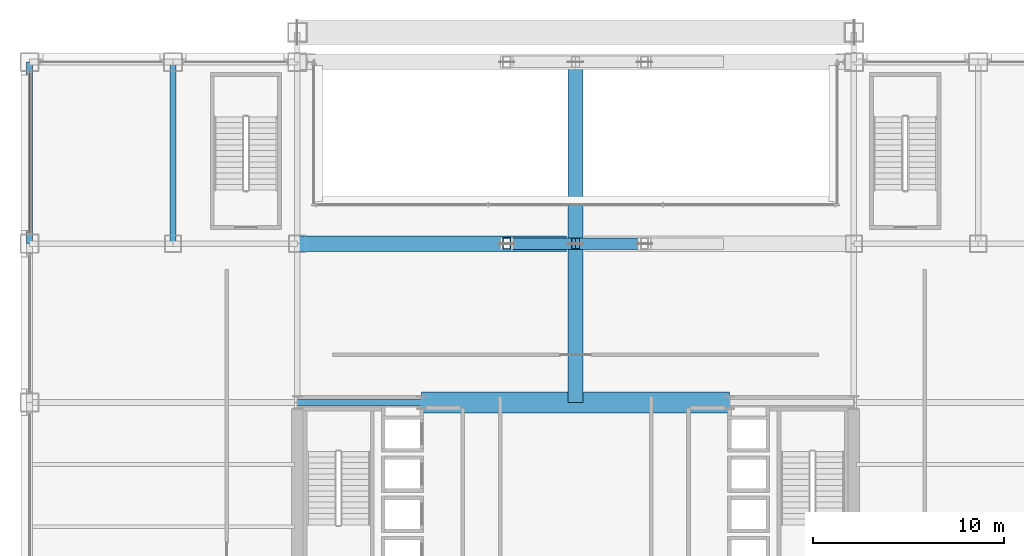
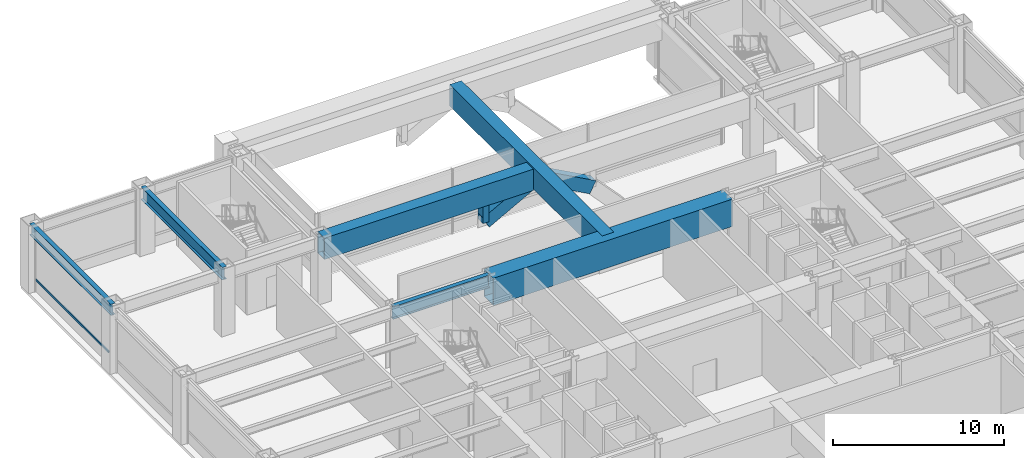
# One storey, part 16 of 37: 6 beams, 4 members, 1 element without a shape of its own.
"""IFC4 building model written with IfcOpenShell, lengths in metres."""

from ifc_helpers import new_model, si_unit, direction, frame, origin, origin_2d, place, context, subcontext, project, spatial, hollow_rectangle, i_section, extrude, material, layer, layer_set, material_profile, profile_set, type_object, element, aggregate, save


model = new_model("IFC4")

# Units and contexts
model_context = context("Model", 3, precision=1e-05, world=origin(), true_north=direction((0.0, 1.0)))
body_context = subcontext(model_context, "Body", "Model", "MODEL_VIEW")
ifc_project = project(units=[si_unit("LENGTHUNIT", "METRE"), si_unit("AREAUNIT", "SQUARE_METRE"), si_unit("VOLUMEUNIT", "CUBIC_METRE"), si_unit("PLANEANGLEUNIT", "RADIAN"), si_unit("MASSUNIT", "GRAM", prefix="KILO")], contexts=[model_context])

# Site, building, storey
site_placement = place(None, origin())
site = spatial("IfcSite", under=ifc_project, at=site_placement, CompositionType="ELEMENT")
building_placement = place(site_placement, origin())
building = spatial("IfcBuilding", under=site, at=building_placement, Name="Brelmoor Portico Tower", CompositionType="ELEMENT")
storey_placement = place(building_placement, frame((0.0, 0.0, 14.39990234375)))
storey = spatial("IfcBuildingStorey", under=building, at=storey_placement, Name="L03", CompositionType="ELEMENT", Elevation=14.39990234375)

# Beams
ifc_material_1 = material(Name="Steel Q355B", Category="steel")
ifc_material_profile_1 = material_profile(ifc_material_1, i_section(OverallWidth=0.300048828125, OverallDepth=0.89990234375, WebThickness=0.01611328125, FlangeThickness=0.028076171875, at=origin_2d()), Name="HN 900x300x16x28")
ifc_profile_set_1 = profile_set([ifc_material_profile_1], Name="Steel Q355B")
beam_type_1 = type_object("IfcBeamType", Name="BM-PG-900", PredefinedType="BEAM", material=ifc_profile_set_1)
beam_1_placement = place(storey_placement, frame((-21.050048828125, 18.050048828125, 4.130126953125), z_axis=(0.0, 1.0, 0.0), x_axis=(-1.0, 0.0, 0.0)))
element("IfcBeam", 1, at=beam_1_placement, inside=storey, type_object=beam_type_1, Name="L03 Primary Floor Girder PG-02", PredefinedType="BEAM", context=body_context, shape_type="SweptSolid", body=[
    extrude(i_section(OverallWidth=0.300048828125, OverallDepth=0.89990234375, WebThickness=0.01611328125, FlangeThickness=0.028076171875, at=origin_2d()), origin(), (0.0, 0.0, 1.0), 9.5),
])
beam_2_placement = place(storey_placement, frame((-14.550048828125, 9.75, 4.130126953125), z_axis=(1.0, 0.0, 0.0), x_axis=(0.0, 1.0, 0.0)))
element("IfcBeam", 2, at=beam_2_placement, inside=storey, type_object=beam_type_1, Name="L03 Primary Floor Girder PG-36", PredefinedType="BEAM", context=body_context, shape_type="SweptSolid", body=[
    extrude(i_section(OverallWidth=0.300048828125, OverallDepth=0.89990234375, WebThickness=0.01611328125, FlangeThickness=0.028076171875, at=origin_2d()), origin(), (0.0, 0.0, 1.0), 6.5),
])
ifc_material_profile_2 = material_profile(ifc_material_1, i_section(OverallWidth=0.300048828125, OverallDepth=0.800048828125, WebThickness=0.013916015625, FlangeThickness=0.02587890625, at=origin_2d()), Name="HN 800x300x14x26")
ifc_profile_set_2 = profile_set([ifc_material_profile_2], Name="Steel Q355B")
beam_type_2 = type_object("IfcBeamType", Name="BM-SP-800", PredefinedType="SPANDREL", material=ifc_profile_set_2)
beam_3_placement = place(storey_placement, frame((-28.550048828125, 18.050048828125, 4.18017578125), z_axis=(0.0, 1.0, 0.0), x_axis=(-1.0, 0.0, 0.0)))
element("IfcBeam", 3, at=beam_3_placement, inside=storey, type_object=beam_type_2, Name="L03 Perimeter Spandrel Beam SP-16", PredefinedType="SPANDREL", context=body_context, shape_type="SweptSolid", body=[
    extrude(i_section(OverallWidth=0.300048828125, OverallDepth=0.800048828125, WebThickness=0.013916015625, FlangeThickness=0.02587890625, at=origin_2d()), origin(), (0.0, 0.0, 1.0), 9.5),
])
ifc_material_2 = material(Name="Steel Q420B", Category="steel")
ifc_material_profile_3 = material_profile(ifc_material_2, hollow_rectangle(XDim=1.10009765625, YDim=1.949951171875, WallThickness=0.054931640625, at=origin_2d()), Name="BOX 1100x1950x55")
ifc_profile_set_3 = profile_set([ifc_material_profile_3], Name="Steel Q420B")
beam_type_3 = type_object("IfcBeamType", Name="BM-TG-ARCH", PredefinedType="BEAM", material=ifc_profile_set_3)
beam_4_placement = place(storey_placement, frame((-8.050048828125, 9.75, 3.60498046875), z_axis=(1.0, 0.0, 0.0), x_axis=(0.0, 1.0, 0.0)))
element("IfcBeam", 4, at=beam_4_placement, inside=storey, type_object=beam_type_3, Name="L03 Portico Arch Core Transfer Box Girder TG-ARCH-C03", PredefinedType="BEAM", context=body_context, shape_type="SweptSolid", body=[
    extrude(hollow_rectangle(XDim=1.10009765625, YDim=1.949951171875, WallThickness=0.054931640625, at=origin_2d()), origin(), (0.0, 0.0, 1.0), 16.10009765625),
])
ifc_material_profile_4 = material_profile(ifc_material_2, hollow_rectangle(XDim=0.800048828125, YDim=1.52001953125, WallThickness=0.044921875, at=origin_2d()), Name="BOX 800x1520x45")
ifc_profile_set_4 = profile_set([ifc_material_profile_4], Name="Steel Q420B")
beam_type_4 = type_object("IfcBeamType", Name="BM-TG-TIE", PredefinedType="BEAM", material=ifc_profile_set_4)
beam_5_placement = place(storey_placement, frame((-14.550048828125, 18.050048828125, 3.820068359375), z_axis=(1.0, 0.0, 0.0), x_axis=(0.0, 1.0, 0.0)))
element("IfcBeam", 5, at=beam_5_placement, inside=storey, type_object=beam_type_4, Name="L03 Giant Arch Bridge Transfer Box Girder N2W", PredefinedType="BEAM", context=body_context, shape_type="SweptSolid", body=[
    extrude(hollow_rectangle(XDim=0.800048828125, YDim=1.52001953125, WallThickness=0.044921875, at=origin_2d()), origin(), (0.0, 0.0, 1.0), 14.070068359375),
])
beam_6_placement = place(storey_placement, frame((0.0, 9.75, 3.820068359375), z_axis=(0.0, 1.0, 0.0), x_axis=(-1.0, 0.0, 0.0)))
element("IfcBeam", 6, at=beam_6_placement, inside=storey, type_object=beam_type_4, Name="L03 North Giant Arch Crown Tie Girder", PredefinedType="BEAM", context=body_context, shape_type="SweptSolid", body=[
    extrude(hollow_rectangle(XDim=0.800048828125, YDim=1.52001953125, WallThickness=0.044921875, at=origin_2d()), origin(), (0.0, 0.0, 1.0), 17.800048828125),
])

# Members
ifc_material_profile_5 = material_profile(ifc_material_2, hollow_rectangle(XDim=0.60009765625, YDim=0.89990234375, WallThickness=0.035888671875, at=origin_2d()), Name="RHS 600x900x36")
ifc_profile_set_5 = profile_set([ifc_material_profile_5], Name="Steel Q420B")
member_type_1 = type_object("IfcMemberType", Name="MB-ARCH-RIB", PredefinedType="CHORD", material=ifc_profile_set_5)
for number, where, z_axis, x_axis, name in (
    (7, (-3.60009765625, 18.050048828125, 1.800048828125), (0.878777744098, 0.0, 0.477231261002), (0.0, 1.0, 0.0), "Giant Portico Arch Rib N2-4"),
    (8, (0.0, 18.050048828125, 3.755126953125), (0.878777744098, 0.0, -0.477231261002), (0.0, 1.0, 0.0), "Giant Portico Arch Rib N2-5"),
):
    element("IfcMember", number, at=place(storey_placement, frame(where, z_axis=z_axis, x_axis=x_axis)), inside=storey, type_object=member_type_1, Name=name, PredefinedType="CHORD", context=body_context, shape_type="SweptSolid", body=[
        extrude(hollow_rectangle(XDim=0.60009765625, YDim=0.89990234375, WallThickness=0.035888671875, at=origin_2d()), origin(), (0.0, 0.0, 1.0), 4.0966796875),
    ])
ifc_material_profile_6 = material_profile(ifc_material_1, hollow_rectangle(XDim=0.39990234375, YDim=0.60009765625, WallThickness=0.02392578125, at=origin_2d()), Name="RHS 400x600x24")
ifc_profile_set_6 = profile_set([ifc_material_profile_6], Name="Steel Q355B")
member_type_2 = type_object("IfcMemberType", Name="MB-ARCH-STRUT", PredefinedType="BRACE", material=ifc_profile_set_6)
member_1_placement = place(storey_placement, frame((-3.60009765625, 18.050048828125, 1.800048828125), z_axis=(0.0, 0.0, 1.0), x_axis=(1.0, 0.0, 0.0)))
element("IfcMember", 9, at=member_1_placement, inside=storey, type_object=member_type_2, Name="Portico Arch Spandrel Strut N2-3", PredefinedType="BRACE", context=body_context, shape_type="SweptSolid", body=[
    extrude(hollow_rectangle(XDim=0.39990234375, YDim=0.60009765625, WallThickness=0.02392578125, at=origin_2d()), origin(), (0.0, 0.0, 1.0), 1.955078125),
])

# Curtain wall, member
ifc_material_3 = material(Name="Anodised Aluminium Alloy 6063-T6", Category="aluminium")
ifc_layer = layer(ifc_material_3, 0.179931640625)
ifc_layer_set = layer_set([ifc_layer], Name="Anodised Aluminium Alloy 6063-T6")
curtain_wall_type = type_object("IfcCurtainWallType", Name="CW-PODIUM-ARCH", PredefinedType="NOTDEFINED", material=ifc_layer_set)
curtain_wall_placement = place(storey_placement, origin())
curtain_wall = element("IfcCurtainWall", 10, at=curtain_wall_placement, inside=storey, type_object=curtain_wall_type, Name="L03 Curtain Wall CW-L03-11-6", PredefinedType="NOTDEFINED")
ifc_material_profile_7 = material_profile(ifc_material_3, hollow_rectangle(XDim=0.070068359375, YDim=0.159912109375, WallThickness=0.00390625, at=origin_2d()), Name="ALU TRANSOM 70x160")
ifc_profile_set_7 = profile_set([ifc_material_profile_7], Name="Anodised Aluminium Alloy 6063-T6")
member_type_3 = type_object("IfcMemberType", Name="MB-CW-TRAN-160", PredefinedType="USERDEFINED", material=ifc_profile_set_7)
member_2_placement = place(storey_placement, frame((-28.550048828125, 18.56005859375, 0.85009765625), z_axis=(0.0, 1.0, 0.0), x_axis=(-1.0, 0.0, 0.0)))
member_2 = element("IfcMember", 11, at=member_2_placement, type_object=member_type_3, Name="CW-L03-11-6 Transom 1-00", ObjectType="TRANSOM", PredefinedType="USERDEFINED", context=body_context, shape_type="SweptSolid", body=[
    extrude(hollow_rectangle(XDim=0.070068359375, YDim=0.159912109375, WallThickness=0.00390625, at=origin_2d()), origin(), (0.0, 0.0, 1.0), 8.47998046875),
])
aggregate(curtain_wall, [member_2])

save(model, "model.ifc")
